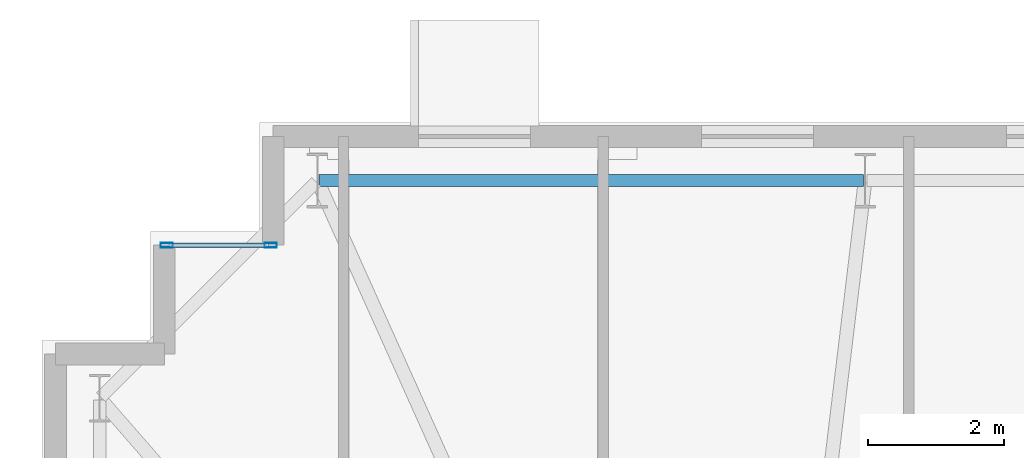
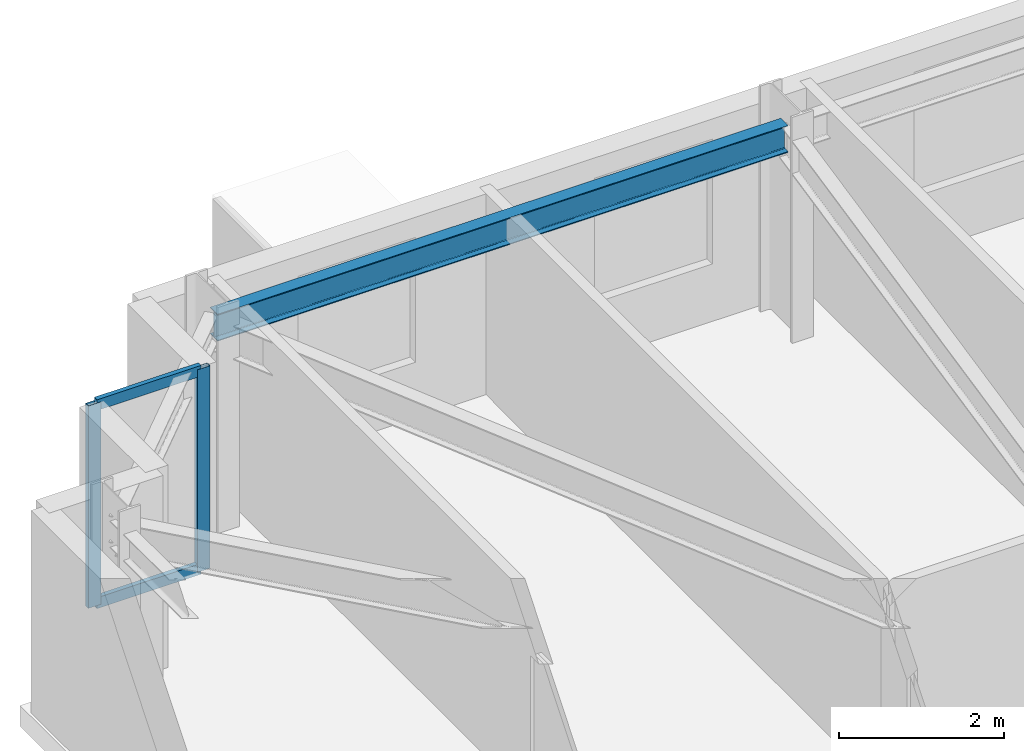
# One storey, part 7 of 17: 4 members, 1 beam, 1 element without a shape of its own.
"""IFC4 building model written with IfcOpenShell, lengths in metres."""

from ifc_helpers import new_model, si_unit, direction, frame, origin, origin_2d, place, context, subcontext, project, spatial, hollow_rectangle, i_section, extrude, material, layer, layer_set, material_profile, profile_set, type_object, element, aggregate, save


model = new_model("IFC4")

# Units and contexts
model_context = context("Model", 3, precision=1e-05, world=origin(), true_north=direction((0.0, 1.0)))
body_context = subcontext(model_context, "Body", "Model", "MODEL_VIEW")
ifc_project = project(units=[si_unit("LENGTHUNIT", "METRE"), si_unit("AREAUNIT", "SQUARE_METRE"), si_unit("VOLUMEUNIT", "CUBIC_METRE"), si_unit("PLANEANGLEUNIT", "RADIAN"), si_unit("MASSUNIT", "GRAM", prefix="KILO")], contexts=[model_context])

# Site, building, storey
site_placement = place(None, origin())
site = spatial("IfcSite", under=ifc_project, at=site_placement, CompositionType="ELEMENT")
building_placement = place(site_placement, origin())
building = spatial("IfcBuilding", under=site, at=building_placement, Name="Qobustan Lattice House", CompositionType="ELEMENT")
storey_placement = place(building_placement, frame((0.0, 0.0, 171.199951171875)))
storey = spatial("IfcBuildingStorey", under=building, at=storey_placement, Name="L48", CompositionType="ELEMENT", Elevation=171.199951171875)

# Beam
ifc_material_1 = material(Name="Steel S355", Category="steel")
ifc_material_profile_1 = material_profile(ifc_material_1, i_section(OverallWidth=0.179931640625, OverallDepth=0.39990234375, WebThickness=0.008544921875, FlangeThickness=0.013427734375, FilletRadius=0.02099609375, at=origin_2d()), Name="IPE400")
ifc_profile_set_1 = profile_set([ifc_material_profile_1], Name="Steel S355")
beam_type = type_object("IfcBeamType", Name="BM-SPD-IPE400", PredefinedType="SPANDREL", material=ifc_profile_set_1)
beam_placement = place(storey_placement, frame((-17.125, 19.75, 2.800048828125), z_axis=(-1.0, 0.0, 0.0), x_axis=(0.0, -1.0, 0.0)))
element("IfcBeam", 1, at=beam_placement, inside=storey, type_object=beam_type, Name="L48 perimeter spandrel N6-N7", PredefinedType="SPANDREL", context=body_context, shape_type="SweptSolid", body=[
    extrude(i_section(OverallWidth=0.179931640625, OverallDepth=0.39990234375, WebThickness=0.008544921875, FlangeThickness=0.013427734375, FilletRadius=0.02099609375, at=origin_2d()), origin(), (0.0, 0.0, 1.0), 8.0),
])

# Curtain wall, members
ifc_material_2 = material(Name="Anodised aluminium and low-E glazing", Category="aluminium")
ifc_layer = layer(ifc_material_2, 0.219970703125)
ifc_layer_set = layer_set([ifc_layer], Name="Anodised aluminium and low-E glazing")
curtain_wall_type = type_object("IfcCurtainWallType", Name="CW-FAC-02", PredefinedType="USERDEFINED", material=ifc_layer_set)
curtain_wall_placement = place(storey_placement, origin())
curtain_wall = element("IfcCurtainWall", 2, at=curtain_wall_placement, inside=storey, type_object=curtain_wall_type, Name="L48 serrated corner faceted glazing 8", ObjectType="CURTAIN WALL", PredefinedType="USERDEFINED")
ifc_material_3 = material(Name="Anodised aluminium EN AW-6063 T6", Category="aluminium")
ifc_material_profile_2 = material_profile(ifc_material_3, hollow_rectangle(XDim=0.070068359375, YDim=0.179931640625, WallThickness=0.00439453125, at=origin_2d()), Name="CWM-180x70")
ifc_profile_set_2 = profile_set([ifc_material_profile_2], Name="Anodised aluminium EN AW-6063 T6")
member_type_1 = type_object("IfcMemberType", Name="CWM-STD-180", PredefinedType="MULLION", material=ifc_profile_set_2)
member_1_placement = place(storey_placement, frame((-27.364990234375, 18.800048828125, 0.0), z_axis=(0.0, 0.0, 1.0), x_axis=(0.0, 1.0, 0.0)))
member_1 = element("IfcMember", 3, at=member_1_placement, type_object=member_type_1, Name="CW-F2 mullion 1", PredefinedType="MULLION", context=body_context, shape_type="SweptSolid", body=[
    extrude(hollow_rectangle(XDim=0.070068359375, YDim=0.179931640625, WallThickness=0.00439453125, at=origin_2d()), origin(), (0.0, 0.0, 1.0), 3.0),
])
member_2_placement = place(storey_placement, frame((-25.8349609375, 18.800048828125, 0.0), z_axis=(0.0, 0.0, 1.0), x_axis=(0.0, 1.0, 0.0)))
member_2 = element("IfcMember", 4, at=member_2_placement, type_object=member_type_1, Name="CW-F2 mullion 2", PredefinedType="MULLION", context=body_context, shape_type="SweptSolid", body=[
    extrude(hollow_rectangle(XDim=0.070068359375, YDim=0.179931640625, WallThickness=0.00439453125, at=origin_2d()), origin(), (0.0, 0.0, 1.0), 3.0),
])
ifc_material_4 = material(Name="Anodised aluminium EN AW-6063 T6", Category="aluminium")
ifc_material_profile_3 = material_profile(ifc_material_4, hollow_rectangle(XDim=0.06494140625, YDim=0.159912109375, WallThickness=0.00390625, at=origin_2d()), Name="CWT-160x65")
ifc_profile_set_3 = profile_set([ifc_material_profile_3], Name="Anodised aluminium EN AW-6063 T6")
member_type_2 = type_object("IfcMemberType", Name="CWT-HOR-160", PredefinedType="USERDEFINED", material=ifc_profile_set_3)
member_3_placement = place(storey_placement, frame((-27.330078125, 18.800048828125, 0.032470703125), z_axis=(1.0, 0.0, 0.0), x_axis=(0.0, 1.0, 0.0)))
member_3 = element("IfcMember", 5, at=member_3_placement, type_object=member_type_2, Name="CW-F2 transom 1.1", ObjectType="TRANSOM", PredefinedType="USERDEFINED", context=body_context, shape_type="SweptSolid", body=[
    extrude(hollow_rectangle(XDim=0.06494140625, YDim=0.159912109375, WallThickness=0.00390625, at=origin_2d()), origin(), (0.0, 0.0, 1.0), 1.4599609375),
])
member_4_placement = place(storey_placement, frame((-27.330078125, 18.800048828125, 2.967529296875), z_axis=(1.0, 0.0, 0.0), x_axis=(0.0, 1.0, 0.0)))
member_4 = element("IfcMember", 6, at=member_4_placement, type_object=member_type_2, Name="CW-F2 transom 1.2", ObjectType="TRANSOM", PredefinedType="USERDEFINED", context=body_context, shape_type="SweptSolid", body=[
    extrude(hollow_rectangle(XDim=0.06494140625, YDim=0.159912109375, WallThickness=0.00390625, at=origin_2d()), origin(), (0.0, 0.0, 1.0), 1.4599609375),
])
aggregate(curtain_wall, [member_1, member_2, member_3, member_4])

save(model, "model.ifc")
